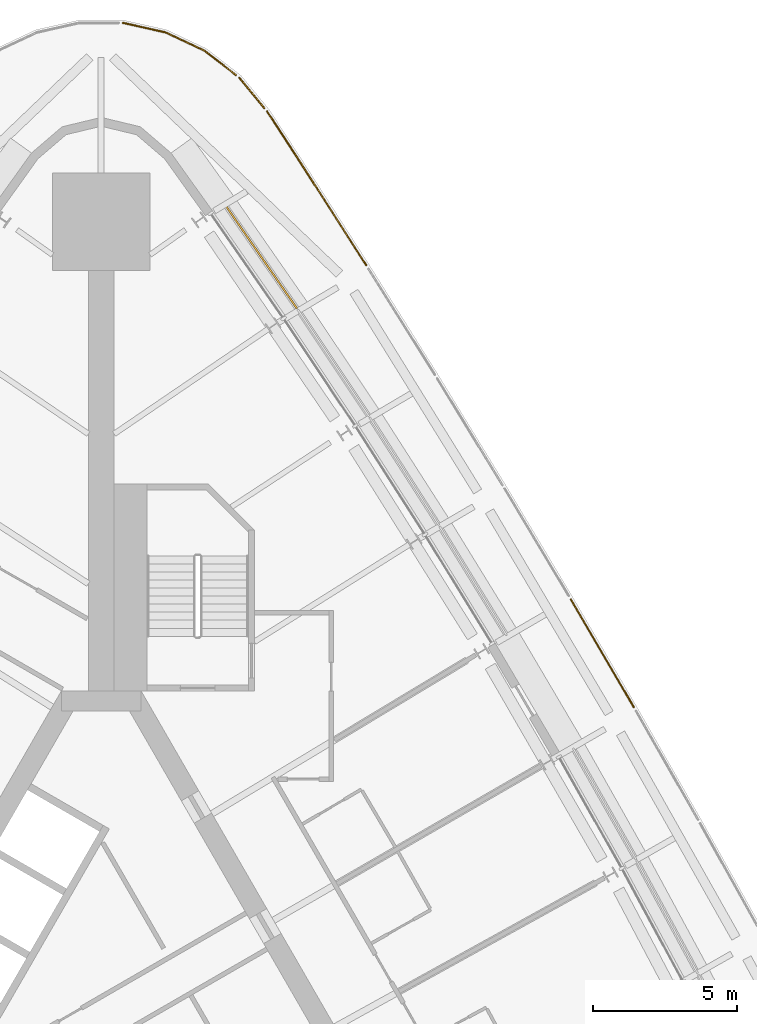
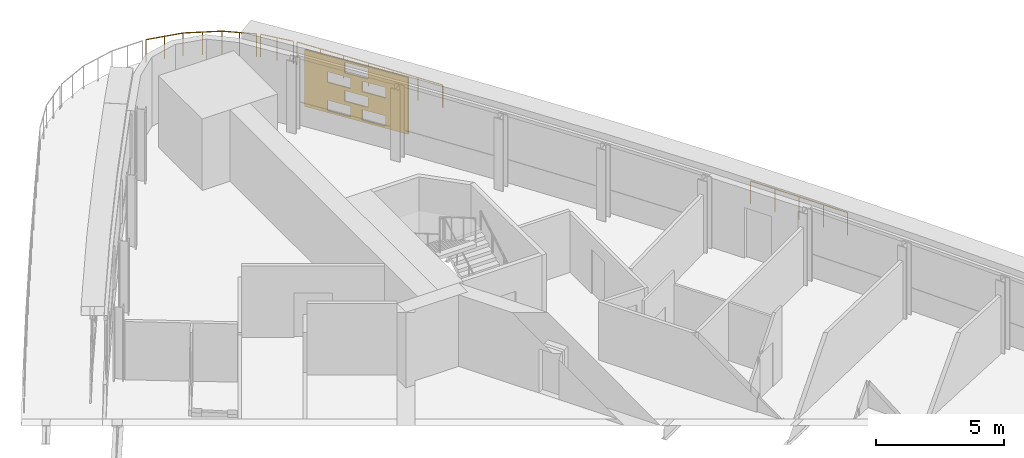
# One storey, part 14 of 14: 4 railings, 1 shading device.
"""IFC4 building model written with IfcOpenShell, lengths in metres."""

from ifc_helpers import new_model, si_unit, direction, frame, origin, origin_2d, place, context, subcontext, project, spatial, polyline, circle, outline, extrude, material, material_profile, profile_set, type_object, element, save


model = new_model("IFC4")

# Units and contexts
model_context = context("Model", 3, precision=1e-05, world=origin(), true_north=direction((0.0, 1.0)))
body_context = subcontext(model_context, "Body", "Model", "MODEL_VIEW")
ifc_project = project(units=[si_unit("LENGTHUNIT", "METRE"), si_unit("AREAUNIT", "SQUARE_METRE"), si_unit("VOLUMEUNIT", "CUBIC_METRE"), si_unit("PLANEANGLEUNIT", "RADIAN"), si_unit("MASSUNIT", "GRAM", prefix="KILO")], contexts=[model_context])

# Site, building, storey
site_placement = place(None, origin())
site = spatial("IfcSite", under=ifc_project, at=site_placement, CompositionType="ELEMENT")
building_placement = place(site_placement, origin())
building = spatial("IfcBuilding", under=site, at=building_placement, Name="Noor Cloister Tower", CompositionType="ELEMENT")
storey_placement = place(building_placement, frame((0.0, 0.0, 24.0)))
storey = spatial("IfcBuildingStorey", under=building, at=storey_placement, Name="L05", CompositionType="ELEMENT", Elevation=24.0)

# Shading device
ifc_material_1 = material(Name="Limestone", Category="masonry")
ifc_material_profile = material_profile(ifc_material_1, outline(polyline([(-2.22998046875, -1.35009765625), (2.22998046875, -1.35009765625), (2.22998046875, 1.35009765625), (-2.22998046875, 1.35009765625), (-2.22998046875, -1.35009765625)]), holes=[polyline([(-1.25, -1.263427734375), (-0.25, -1.263427734375), (-0.25, -0.76171875), (-1.25, -0.76171875), (-1.25, -1.263427734375)]), polyline([(0.25, -1.263427734375), (1.25, -1.263427734375), (1.25, -0.76171875), (0.25, -0.76171875), (0.25, -1.263427734375)]), polyline([(-0.5, -0.58837890625), (0.5, -0.58837890625), (0.5, -0.086669921875), (-0.5, -0.086669921875), (-0.5, -0.58837890625)]), polyline([(-1.25, 0.086669921875), (-0.25, 0.086669921875), (-0.25, 0.58837890625), (-1.25, 0.58837890625), (-1.25, 0.086669921875)]), polyline([(0.25, 0.086669921875), (1.25, 0.086669921875), (1.25, 0.58837890625), (0.25, 0.58837890625), (0.25, 0.086669921875)]), polyline([(-0.5, 0.76171875), (0.5, 0.76171875), (0.5, 1.263427734375), (-0.5, 1.263427734375), (-0.5, 0.76171875)])]), Name="Woven screen 25 percent open")
ifc_profile_set = profile_set([ifc_material_profile], Name="Limestone")
shading_device_type = type_object("IfcShadingDeviceType", Name="SCREEN woven limestone 25 percent open", PredefinedType="USERDEFINED", material=ifc_profile_set)
shading_device_placement = place(storey_placement, frame((5.52294921875, 26.586669921875, 1.85009765625), z_axis=(0.821899128607, 0.56963305943, 0.0), x_axis=(-0.56963305943, 0.821899128607, 0.0)))
element("IfcShadingDevice", 1, at=shading_device_placement, inside=storey, type_object=shading_device_type, Name="SCREEN L05 4", ObjectType="SCREEN", PredefinedType="USERDEFINED", context=body_context, shape_type="SweptSolid", body=[
    extrude(outline(polyline([(-2.22998046875, -1.35009765625), (2.22998046875, -1.35009765625), (2.22998046875, 1.35009765625), (-2.22998046875, 1.35009765625), (-2.22998046875, -1.35009765625)]), holes=[polyline([(-1.25, -1.263427734375), (-0.25, -1.263427734375), (-0.25, -0.76171875), (-1.25, -0.76171875), (-1.25, -1.263427734375)]), polyline([(0.25, -1.263427734375), (1.25, -1.263427734375), (1.25, -0.76171875), (0.25, -0.76171875), (0.25, -1.263427734375)]), polyline([(-0.5, -0.58837890625), (0.5, -0.58837890625), (0.5, -0.086669921875), (-0.5, -0.086669921875), (-0.5, -0.58837890625)]), polyline([(-1.25, 0.086669921875), (-0.25, 0.086669921875), (-0.25, 0.58837890625), (-1.25, 0.58837890625), (-1.25, 0.086669921875)]), polyline([(0.25, 0.086669921875), (1.25, 0.086669921875), (1.25, 0.58837890625), (0.25, 0.58837890625), (0.25, 0.086669921875)]), polyline([(-0.5, 0.76171875), (0.5, 0.76171875), (0.5, 1.263427734375), (-0.5, 1.263427734375), (-0.5, 0.76171875)])]), origin(), (0.0, 0.0, 1.0), 0.06005859375),
])

# Railings
ifc_material_2 = material(Name="Stainless steel grade 316", Category="steel")
railing_type = type_object("IfcRailingType", Name="Terrace guard 1100", PredefinedType="GUARDRAIL", material=ifc_material_2)
railing_1_placement = place(storey_placement, frame((5.776123046875, 31.6376953125, 0.0)))
element("IfcRailing", 2, at=railing_1_placement, inside=storey, type_object=railing_type, Name="Podium terrace guard 1", PredefinedType="GUARDRAIL", context=body_context, shape_type="SweptSolid", body=[
    extrude(circle(Radius=0.02392578125, at=origin_2d()), frame((0.0, 0.0, 1.076171875), z_axis=(0.545698717989, -0.837981449189, 0.0), x_axis=(0.837981449189, 0.545698717989, 0.0)), (0.0, 0.0, 1.0), 2.02880859375),
    extrude(circle(Radius=0.02392578125, at=origin_2d()), frame((1.107177734375, -1.7001953125, 1.076171875), z_axis=(0.539477364415, -0.8420001029, 0.0), x_axis=(0.8420001029, 0.539477364415, 0.0)), (0.0, 0.0, 1.0), 4.34912109375),
    extrude(circle(Radius=0.02099609375, at=origin_2d()), origin(), (0.0, 0.0, 1.0), 1.052001953125),
    extrude(circle(Radius=0.02099609375, at=origin_2d()), frame((0.5537109375, -0.85009765625, 0.0)), (0.0, 0.0, 1.0), 1.052001953125),
    extrude(circle(Radius=0.02099609375, at=origin_2d()), frame((1.107177734375, -1.7001953125, 0.0)), (0.0, 0.0, 1.0), 1.052001953125),
    extrude(circle(Radius=0.02099609375, at=origin_2d()), frame((1.69384765625, -2.61572265625, 0.0)), (0.0, 0.0, 1.0), 1.052001953125),
    extrude(circle(Radius=0.02099609375, at=origin_2d()), frame((2.2802734375, -3.53125, 0.0)), (0.0, 0.0, 1.0), 1.052001953125),
    extrude(circle(Radius=0.02099609375, at=origin_2d()), frame((2.86669921875, -4.446533203125, 0.0)), (0.0, 0.0, 1.0), 1.052001953125),
    extrude(circle(Radius=0.02099609375, at=origin_2d()), frame((3.453369140625, -5.362060546875, 0.0)), (0.0, 0.0, 1.0), 1.052001953125),
])
railing_2_placement = place(storey_placement, frame((16.3564453125, 14.63818359375, 0.0)))
element("IfcRailing", 3, at=railing_2_placement, inside=storey, type_object=railing_type, Name="Podium terrace guard 5", PredefinedType="GUARDRAIL", context=body_context, shape_type="SweptSolid", body=[
    extrude(circle(Radius=0.02392578125, at=origin_2d()), frame((0.0, 0.0, 1.076171875), z_axis=(0.504404972737, -0.863467210425, 0.0), x_axis=(0.863467210425, 0.504404972737, 0.0)), (0.0, 0.0, 1.0), 4.348876953125),
    extrude(circle(Radius=0.02099609375, at=origin_2d()), origin(), (0.0, 0.0, 1.0), 1.052001953125),
    extrude(circle(Radius=0.02099609375, at=origin_2d()), frame((0.54833984375, -0.938720703125, 0.0)), (0.0, 0.0, 1.0), 1.052001953125),
    extrude(circle(Radius=0.02099609375, at=origin_2d()), frame((1.0966796875, -1.87744140625, 0.0)), (0.0, 0.0, 1.0), 1.052001953125),
    extrude(circle(Radius=0.02099609375, at=origin_2d()), frame((1.645263671875, -2.81640625, 0.0)), (0.0, 0.0, 1.0), 1.052001953125),
    extrude(circle(Radius=0.02099609375, at=origin_2d()), frame((2.193603515625, -3.755126953125, 0.0)), (0.0, 0.0, 1.0), 1.052001953125),
])
railing_3_placement = place(storey_placement, frame((0.75830078125, 34.720703125, 0.0)))
element("IfcRailing", 4, at=railing_3_placement, inside=storey, type_object=railing_type, Name="Podium terrace guard 39", PredefinedType="GUARDRAIL", context=body_context, shape_type="SweptSolid", body=[
    extrude(circle(Radius=0.02392578125, at=origin_2d()), frame((0.0, 0.0, 1.076171875), z_axis=(0.975848774581, -0.218447177022, 0.0), x_axis=(0.218447177022, 0.975848774581, 0.0)), (0.0, 0.0, 1.0), 1.5166015625),
    extrude(circle(Radius=0.02392578125, at=origin_2d()), frame((1.47998046875, -0.331298828125, 1.076171875), z_axis=(0.904522982, -0.426424876191, 0.0), x_axis=(0.426424876191, 0.904522982, 0.0)), (0.0, 0.0, 1.0), 1.5166015625),
    extrude(circle(Radius=0.02392578125, at=origin_2d()), frame((2.851806640625, -0.97802734375, 1.076171875), z_axis=(0.789506081687, -0.613742736804, 0.0), x_axis=(0.613742736804, 0.789506081687, 0.0)), (0.0, 0.0, 1.0), 1.36669921875),
    extrude(circle(Radius=0.02099609375, at=origin_2d()), origin(), (0.0, 0.0, 1.0), 1.052001953125),
    extrude(circle(Radius=0.02099609375, at=origin_2d()), frame((0.739990234375, -0.16552734375, 0.0)), (0.0, 0.0, 1.0), 1.052001953125),
    extrude(circle(Radius=0.02099609375, at=origin_2d()), frame((1.47998046875, -0.331298828125, 0.0)), (0.0, 0.0, 1.0), 1.052001953125),
    extrude(circle(Radius=0.02099609375, at=origin_2d()), frame((2.166015625, -0.65478515625, 0.0)), (0.0, 0.0, 1.0), 1.052001953125),
    extrude(circle(Radius=0.02099609375, at=origin_2d()), frame((2.851806640625, -0.97802734375, 0.0)), (0.0, 0.0, 1.0), 1.052001953125),
    extrude(circle(Radius=0.02099609375, at=origin_2d()), frame((3.391357421875, -1.3974609375, 0.0)), (0.0, 0.0, 1.0), 1.052001953125),
    extrude(circle(Radius=0.02099609375, at=origin_2d()), frame((3.930908203125, -1.81689453125, 0.0)), (0.0, 0.0, 1.0), 1.052001953125),
])
railing_4_placement = place(storey_placement, frame((4.8076171875, 32.811767578125, 0.0)))
element("IfcRailing", 5, at=railing_4_placement, inside=storey, type_object=railing_type, Name="Podium terrace guard 40", PredefinedType="GUARDRAIL", context=body_context, shape_type="SweptSolid", body=[
    extrude(circle(Radius=0.02392578125, at=origin_2d()), frame((0.0, 0.0, 1.076171875), z_axis=(0.636343248113, -0.771406034835, 0.0), x_axis=(0.771406034835, 0.636343248113, 0.0)), (0.0, 0.0, 1.0), 1.3720703125),
    extrude(circle(Radius=0.02099609375, at=origin_2d()), origin(), (0.0, 0.0, 1.0), 1.052001953125),
    extrude(circle(Radius=0.02099609375, at=origin_2d()), frame((0.4365234375, -0.529296875, 0.0)), (0.0, 0.0, 1.0), 1.052001953125),
    extrude(circle(Radius=0.02099609375, at=origin_2d()), frame((0.873046875, -1.058349609375, 0.0)), (0.0, 0.0, 1.0), 1.052001953125),
])

save(model, "model.ifc")
